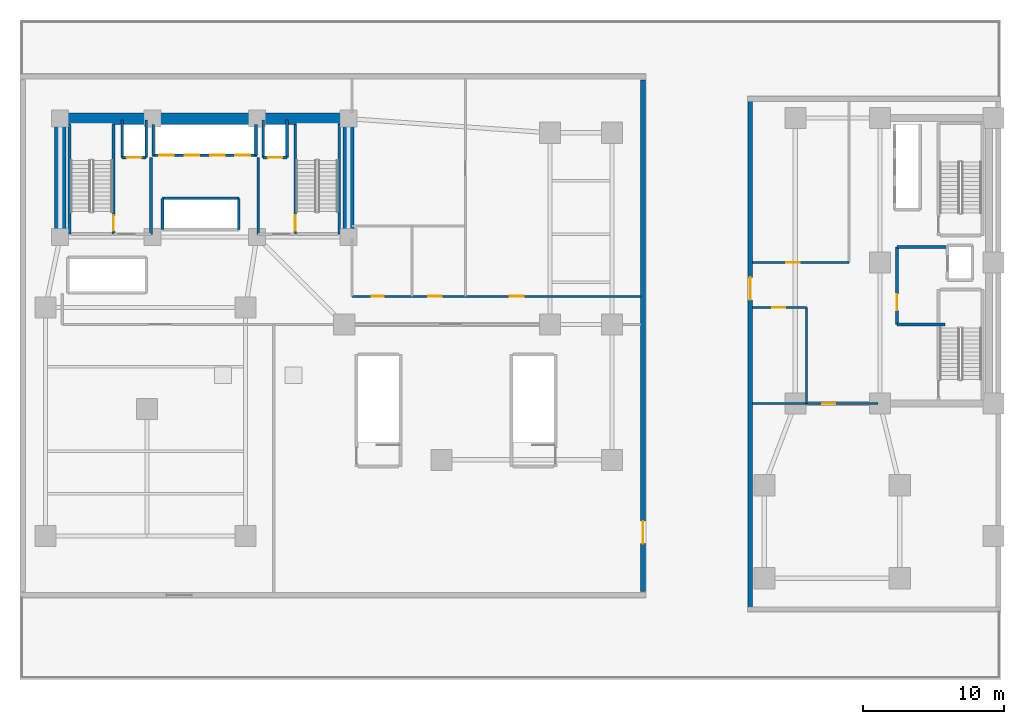
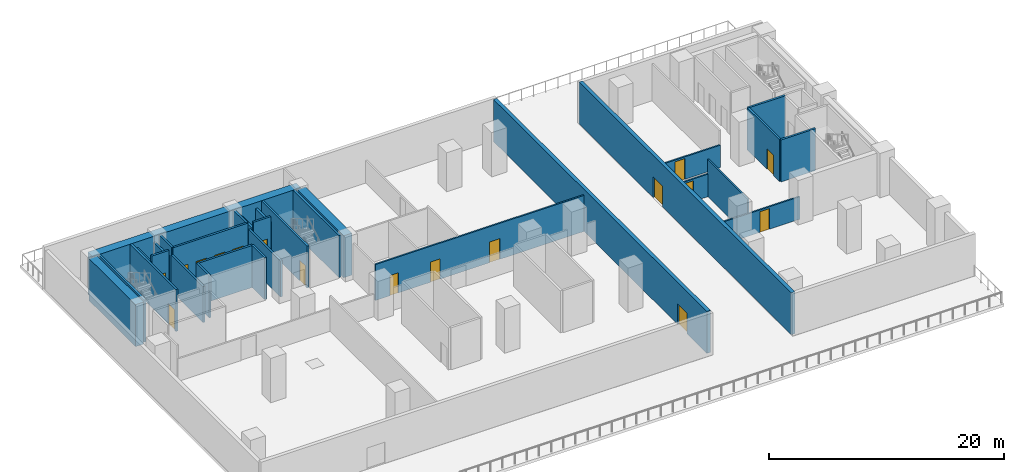
# One storey, part 3 of 9: 31 walls, 17 doors, 17 openings.
"""IFC4 building model written with IfcOpenShell, lengths in metres."""

from ifc_helpers import new_model, si_unit, direction, frame, frame_2d, origin, place, context, subcontext, project, spatial, rectangle, extrude, material, layer, layer_set, type_object, element, fill, save


model = new_model("IFC4")

# Units and contexts
model_context = context("Model", 3, precision=1e-05, world=origin(), true_north=direction((0.0, 1.0)))
body_context = subcontext(model_context, "Body", "Model", "MODEL_VIEW")
ifc_project = project(units=[si_unit("LENGTHUNIT", "METRE"), si_unit("AREAUNIT", "SQUARE_METRE"), si_unit("VOLUMEUNIT", "CUBIC_METRE"), si_unit("PLANEANGLEUNIT", "RADIAN"), si_unit("MASSUNIT", "GRAM", prefix="KILO")], contexts=[model_context])

# Site, building, storey
site_placement = place(None, origin())
site = spatial("IfcSite", under=ifc_project, at=site_placement, CompositionType="ELEMENT")
building_placement = place(site_placement, origin())
building = spatial("IfcBuilding", under=site, at=building_placement, Name="Kuzgunbayir Cultural Tower", CompositionType="ELEMENT")
storey_placement = place(building_placement, frame((0.0, 0.0, 21.800048828125)))
storey = spatial("IfcBuildingStorey", under=building, at=storey_placement, Name="L05", CompositionType="ELEMENT", Elevation=21.800048828125)

# Walls
ifc_material_1 = material(Name="Concrete C60/75", Category="concrete")
ifc_layer_1 = layer(ifc_material_1, 0.800048828125)
ifc_layer_set_1 = layer_set([ifc_layer_1], Name="Concrete C60/75")
wall_type_1 = type_object("IfcWallType", Name="WAL-CORE-800", PredefinedType="SHEAR", material=ifc_layer_set_1)
wall_1_placement = place(storey_placement, frame((6.449951171875, 42.199951171875, 0.0), z_axis=(0.0, 0.0, 1.0), x_axis=(1.0, 0.0, 0.0)))
element("IfcWall", 1, at=wall_1_placement, inside=storey, type_object=wall_type_1, Name="L05 T1 Core North Shear Wall", PredefinedType="SHEAR", context=body_context, shape_type="SweptSolid", body=[
    extrude(rectangle(XDim=20.449951171875, YDim=0.800048828125, at=frame_2d((10.22509765625, 0.0))), origin(), (0.0, 0.0, 1.0), 4.35986328125),
])
for number, where, z_axis, x_axis, name in (
    (2, (6.449951171875, 33.800048828125, 0.0), (0.0, 0.0, 1.0), (0.0, 1.0, 0.0), "L05 T1 Core West Shear Wall"),
    (3, (26.89990234375, 33.800048828125, 0.0), (0.0, 0.0, 1.0), (0.0, 1.0, 0.0), "L05 T1 Core East Shear Wall"),
):
    element("IfcWall", number, at=place(storey_placement, frame(where, z_axis=z_axis, x_axis=x_axis)), inside=storey, type_object=wall_type_1, Name=name, PredefinedType="SHEAR", context=body_context, shape_type="SweptSolid", body=[
        extrude(rectangle(XDim=7.949951171875, YDim=0.800048828125, at=frame_2d((3.97509765625, 0.0))), origin(), (0.0, 0.0, 1.0), 4.35986328125),
    ])

# Wall, opening, door
ifc_material_2 = material(Name="Anatolian Cream Limestone", Category="masonry")
ifc_layer_2 = layer(ifc_material_2, 0.35009765625)
ifc_layer_set_2 = layer_set([ifc_layer_2], Name="Anatolian Cream Limestone")
wall_type_2 = type_object("IfcWallType", Name="WAL-EXT-STONE-350", PredefinedType="STANDARD", material=ifc_layer_set_2)
wall_2_placement = place(storey_placement, frame((47.800048828125, 8.64990234375, 0.0), z_axis=(0.0, 0.0, 1.0), x_axis=(0.0, 1.0, 0.0)))
wall_2 = element("IfcWall", 4, at=wall_2_placement, inside=storey, type_object=wall_type_2, Name="L05 Botanical Pavilion East Garden Facade", PredefinedType="STANDARD", context=body_context, shape_type="SweptSolid", body=[
    extrude(rectangle(XDim=36.300048828125, YDim=0.35009765625, at=frame_2d((18.14990234375, 0.0))), origin(), (0.0, 0.0, 1.0), 4.35986328125),
])
opening_1_placement = place(wall_2_placement, frame((3.39990234375, 0.0, 0.0)))
opening_1 = element("IfcOpeningElement", 5, at=opening_1_placement, cuts=wall_2, Name="Opening TD-16", PredefinedType="OPENING", context=body_context, shape_type="SweptSolid", body=[
    extrude(rectangle(XDim=1.60009765625, YDim=2.14990234375, at=frame_2d((0.800048828125, 1.074951171875))), frame((0.0, 0.18505859375, 0.0), z_axis=(0.0, -1.0, 0.0), x_axis=(1.0, 0.0, 0.0)), (0.0, 0.0, 1.0), 0.3701171875),
])
ifc_material_3 = material(Name="Thermally Broken Glazed Aluminium", Category="aluminium")
door_type_1 = type_object("IfcDoorType", Name="DR-TERRACE-160", OperationType="SLIDING_TO_RIGHT", PredefinedType="DOOR", material=ifc_material_3)
door_1_placement = place(opening_1_placement, origin())
door_1 = element("IfcDoor", 6, at=door_1_placement, inside=storey, type_object=door_type_1, Name="L05 Botanical Salon East Garden Door", OperationType="SLIDING_TO_RIGHT", OverallHeight=2.14990234375, OverallWidth=1.60009765625, PredefinedType="DOOR", context=body_context, shape_type="SweptSolid", body=[
    extrude(rectangle(XDim=1.60009765625, YDim=2.14990234375, at=frame_2d((0.800048828125, 1.074951171875))), frame((0.0, 0.02490234375, 0.0), z_axis=(0.0, -1.0, 0.0), x_axis=(1.0, 0.0, 0.0)), (0.0, 0.0, 1.0), 0.050048828125),
])
fill(opening_1, door_1)

wall_3_placement = place(storey_placement, frame((55.39990234375, 43.550048828125, 0.0), z_axis=(0.0, 0.0, 1.0), x_axis=(0.0, -1.0, 0.0)))
wall_3 = element("IfcWall", 7, at=wall_3_placement, inside=storey, type_object=wall_type_2, Name="L05 Companion Foyer West Garden Wall", PredefinedType="STANDARD", context=body_context, shape_type="SweptSolid", body=[
    extrude(rectangle(XDim=36.10009765625, YDim=0.35009765625, at=frame_2d((18.050048828125, 0.0))), origin(), (0.0, 0.0, 1.0), 4.35986328125),
])
opening_2_placement = place(wall_3_placement, frame((12.60009765625, 0.0, 0.0)))
opening_2 = element("IfcOpeningElement", 8, at=opening_2_placement, cuts=wall_3, Name="Opening TD-16", PredefinedType="OPENING", context=body_context, shape_type="SweptSolid", body=[
    extrude(rectangle(XDim=1.60009765625, YDim=2.14990234375, at=frame_2d((0.800048828125, 1.074951171875))), frame((0.0, 0.18505859375, 0.0), z_axis=(0.0, -1.0, 0.0), x_axis=(1.0, 0.0, 0.0)), (0.0, 0.0, 1.0), 0.3701171875),
])
door_2_placement = place(opening_2_placement, origin())
door_2 = element("IfcDoor", 9, at=door_2_placement, inside=storey, type_object=door_type_1, Name="L05 Companion Foyer Garden Terrace Door", OperationType="SLIDING_TO_RIGHT", OverallHeight=2.14990234375, OverallWidth=1.60009765625, PredefinedType="DOOR", context=body_context, shape_type="SweptSolid", body=[
    extrude(rectangle(XDim=1.60009765625, YDim=2.14990234375, at=frame_2d((0.800048828125, 1.074951171875))), frame((0.0, 0.02490234375, 0.0), z_axis=(0.0, -1.0, 0.0), x_axis=(1.0, 0.0, 0.0)), (0.0, 0.0, 1.0), 0.050048828125),
])
fill(opening_2, door_2)

# Wall, openings, doors
ifc_material_4 = material(Name="Acoustic Double-Stud Drywall", Category="gypsum")
ifc_layer_3 = layer(ifc_material_4, 0.14990234375)
ifc_layer_set_3 = layer_set([ifc_layer_3], Name="Acoustic Double-Stud Drywall")
wall_type_3 = type_object("IfcWallType", Name="WAL-PART-ACOUSTIC-150", PredefinedType="PARTITIONING", material=ifc_layer_set_3)
wall_4_placement = place(storey_placement, frame((27.14990234375, 29.60009765625, 0.0), z_axis=(0.0, 0.0, 1.0), x_axis=(1.0, 0.0, 0.0)))
wall_4 = element("IfcWall", 10, at=wall_4_placement, inside=storey, type_object=wall_type_3, Name="L05 Botanical Promenade North Wall", PredefinedType="PARTITIONING", context=body_context, shape_type="SweptSolid", body=[
    extrude(rectangle(XDim=20.5, YDim=0.14990234375, at=frame_2d((10.25, 0.0))), origin(), (0.0, 0.0, 1.0), 3.739990234375),
])
opening_3_placement = place(wall_4_placement, frame((1.39990234375, 0.0, 0.0)))
opening_3 = element("IfcOpeningElement", 11, at=opening_3_placement, cuts=wall_4, Name="Opening DW-85", PredefinedType="OPENING", context=body_context, shape_type="SweptSolid", body=[
    extrude(rectangle(XDim=0.85009765625, YDim=2.10009765625, at=frame_2d((0.425048828125, 1.050048828125))), frame((0.0, 0.0849609375, 0.0), z_axis=(0.0, -1.0, 0.0), x_axis=(1.0, 0.0, 0.0)), (0.0, 0.0, 1.0), 0.169921875),
])
opening_4_placement = place(wall_4_placement, frame((5.39990234375, 0.0, 0.0)))
opening_4 = element("IfcOpeningElement", 12, at=opening_4_placement, cuts=wall_4, Name="Opening DW-95", PredefinedType="OPENING", context=body_context, shape_type="SweptSolid", body=[
    extrude(rectangle(XDim=0.949951171875, YDim=2.10009765625, at=frame_2d((0.47509765625, 1.050048828125))), frame((0.0, 0.0849609375, 0.0), z_axis=(0.0, -1.0, 0.0), x_axis=(1.0, 0.0, 0.0)), (0.0, 0.0, 1.0), 0.169921875),
])
opening_5_placement = place(wall_4_placement, frame((11.199951171875, 0.0, 0.0)))
opening_5 = element("IfcOpeningElement", 13, at=opening_5_placement, cuts=wall_4, Name="Opening DI-100", PredefinedType="OPENING", context=body_context, shape_type="SweptSolid", body=[
    extrude(rectangle(XDim=1.0, YDim=2.14990234375, at=frame_2d((0.5, 1.074951171875))), frame((0.0, 0.0849609375, 0.0), z_axis=(0.0, -1.0, 0.0), x_axis=(1.0, 0.0, 0.0)), (0.0, 0.0, 1.0), 0.169921875),
])
ifc_material_5 = material(Name="Veneered Oak Single Leaf", Category="wood")
door_type_2 = type_object("IfcDoorType", Name="DR-INT-100", OperationType="NOTDEFINED", PredefinedType="DOOR", material=ifc_material_5)
door_3_placement = place(opening_5_placement, origin())
door_3 = element("IfcDoor", 14, at=door_3_placement, inside=storey, type_object=door_type_2, Name="L05 Landscape Studio Door", OperationType="SINGLE_SWING_RIGHT", OverallHeight=2.14990234375, OverallWidth=1.0, PredefinedType="DOOR", context=body_context, shape_type="SweptSolid", body=[
    extrude(rectangle(XDim=1.0, YDim=2.14990234375, at=frame_2d((0.5, 1.074951171875))), frame((0.0, 0.02490234375, 0.0), z_axis=(0.0, -1.0, 0.0), x_axis=(1.0, 0.0, 0.0)), (0.0, 0.0, 1.0), 0.050048828125),
])
fill(opening_5, door_3)
ifc_material_6 = material(Name="Laminate Moisture-Resistant Leaf", Category="wood")
door_type_3 = type_object("IfcDoorType", Name="DR-WET-85", OperationType="NOTDEFINED", PredefinedType="DOOR", material=ifc_material_6)
door_4_placement = place(opening_3_placement, origin())
door_4 = element("IfcDoor", 15, at=door_4_placement, inside=storey, type_object=door_type_3, Name="L05 Garden WC Door", OperationType="SINGLE_SWING_RIGHT", OverallHeight=2.10009765625, OverallWidth=0.85009765625, PredefinedType="DOOR", context=body_context, shape_type="SweptSolid", body=[
    extrude(rectangle(XDim=0.85009765625, YDim=2.10009765625, at=frame_2d((0.425048828125, 1.050048828125))), frame((0.0, 0.02490234375, 0.0), z_axis=(0.0, -1.0, 0.0), x_axis=(1.0, 0.0, 0.0)), (0.0, 0.0, 1.0), 0.050048828125),
])
fill(opening_3, door_4)
door_type_4 = type_object("IfcDoorType", Name="DR-WET-95", OperationType="NOTDEFINED", PredefinedType="DOOR", material=ifc_material_6)
door_5_placement = place(opening_4_placement, origin())
door_5 = element("IfcDoor", 16, at=door_5_placement, inside=storey, type_object=door_type_4, Name="L05 Garden Accessible WC Door", OperationType="SINGLE_SWING_LEFT", OverallHeight=2.10009765625, OverallWidth=0.949951171875, PredefinedType="DOOR", context=body_context, shape_type="SweptSolid", body=[
    extrude(rectangle(XDim=0.949951171875, YDim=2.10009765625, at=frame_2d((0.47509765625, 1.050048828125))), frame((0.0, 0.02490234375, 0.0), z_axis=(0.0, -1.0, 0.0), x_axis=(1.0, 0.0, 0.0)), (0.0, 0.0, 1.0), 0.050048828125),
])
fill(opening_4, door_5)

# Wall, opening, door
wall_5_placement = place(storey_placement, frame((55.550048828125, 22.0, 0.0), z_axis=(0.0, 0.0, 1.0), x_axis=(1.0, 0.0, 0.0)))
wall_5 = element("IfcWall", 17, at=wall_5_placement, inside=storey, type_object=wall_type_3, Name="L05 Companion Garden Foyer South Wall", PredefinedType="PARTITIONING", context=body_context, shape_type="SweptSolid", body=[
    extrude(rectangle(XDim=8.89990234375, YDim=0.14990234375, at=frame_2d((4.449951171875, 0.0))), origin(), (0.0, 0.0, 1.0), 2.33984375),
])
opening_6_placement = place(wall_5_placement, frame((4.93994140625, 0.0, 0.0)))
opening_6 = element("IfcOpeningElement", 18, at=opening_6_placement, cuts=wall_5, Name="Opening DI-90", PredefinedType="OPENING", context=body_context, shape_type="SweptSolid", body=[
    extrude(rectangle(XDim=0.949951171875, YDim=2.14990234375, at=frame_2d((0.47509765625, 1.074951171875))), frame((0.0, 0.0849609375, 0.0), z_axis=(0.0, -1.0, 0.0), x_axis=(1.0, 0.0, 0.0)), (0.0, 0.0, 1.0), 0.169921875),
])
door_type_5 = type_object("IfcDoorType", Name="DR-INT-90", OperationType="NOTDEFINED", PredefinedType="DOOR", material=ifc_material_5)
door_6_placement = place(opening_6_placement, origin())
door_6 = element("IfcDoor", 19, at=door_6_placement, inside=storey, type_object=door_type_5, Name="L05 Companion Terrace Lounge Door", OperationType="SINGLE_SWING_RIGHT", OverallHeight=2.14990234375, OverallWidth=0.949951171875, PredefinedType="DOOR", context=body_context, shape_type="SweptSolid", body=[
    extrude(rectangle(XDim=0.949951171875, YDim=2.14990234375, at=frame_2d((0.47509765625, 1.074951171875))), frame((0.0, 0.02490234375, 0.0), z_axis=(0.0, -1.0, 0.0), x_axis=(1.0, 0.0, 0.0)), (0.0, 0.0, 1.0), 0.050048828125),
])
fill(opening_6, door_6)

# Wall
wall_6_placement = place(storey_placement, frame((59.39990234375, 22.0, 0.0), z_axis=(0.0, 0.0, 1.0), x_axis=(0.0, 1.0, 0.0)))
element("IfcWall", 20, at=wall_6_placement, inside=storey, type_object=wall_type_3, Name="L05 Companion Pantry East Wall", PredefinedType="PARTITIONING", context=body_context, shape_type="SweptSolid", body=[
    extrude(rectangle(XDim=6.800048828125, YDim=0.14990234375, at=frame_2d((3.39990234375, 0.0))), origin(), (0.0, 0.0, 1.0), 3.83984375),
])

# Wall, opening, door
wall_7_placement = place(storey_placement, frame((55.550048828125, 28.800048828125, 0.0), z_axis=(0.0, 0.0, 1.0), x_axis=(1.0, 0.0, 0.0)))
wall_7 = element("IfcWall", 21, at=wall_7_placement, inside=storey, type_object=wall_type_3, Name="L05 Companion Foyer South Partition", PredefinedType="PARTITIONING", context=body_context, shape_type="SweptSolid", body=[
    extrude(rectangle(XDim=3.849853515625, YDim=0.14990234375, at=frame_2d((1.9248046875, 0.0))), origin(), (0.0, 0.0, 1.0), 2.33984375),
])
opening_7_placement = place(wall_7_placement, frame((1.39990234375, 0.0, 0.0)))
opening_7 = element("IfcOpeningElement", 22, at=opening_7_placement, cuts=wall_7, Name="Opening DI-90", PredefinedType="OPENING", context=body_context, shape_type="SweptSolid", body=[
    extrude(rectangle(XDim=0.949951171875, YDim=2.14990234375, at=frame_2d((0.47509765625, 1.074951171875))), frame((0.0, 0.0849609375, 0.0), z_axis=(0.0, -1.0, 0.0), x_axis=(1.0, 0.0, 0.0)), (0.0, 0.0, 1.0), 0.169921875),
])
door_7_placement = place(opening_7_placement, origin())
door_7 = element("IfcDoor", 23, at=door_7_placement, inside=storey, type_object=door_type_5, Name="L05 Companion Pantry Door", OperationType="SINGLE_SWING_LEFT", OverallHeight=2.14990234375, OverallWidth=0.949951171875, PredefinedType="DOOR", context=body_context, shape_type="SweptSolid", body=[
    extrude(rectangle(XDim=0.949951171875, YDim=2.14990234375, at=frame_2d((0.47509765625, 1.074951171875))), frame((0.0, 0.02490234375, 0.0), z_axis=(0.0, -1.0, 0.0), x_axis=(1.0, 0.0, 0.0)), (0.0, 0.0, 1.0), 0.050048828125),
])
fill(opening_7, door_7)

wall_8_placement = place(storey_placement, frame((55.550048828125, 32.0, 0.0), z_axis=(0.0, 0.0, 1.0), x_axis=(1.0, 0.0, 0.0)))
wall_8 = element("IfcWall", 24, at=wall_8_placement, inside=storey, type_object=wall_type_3, Name="L05 Companion Foyer North Partition", PredefinedType="PARTITIONING", context=body_context, shape_type="SweptSolid", body=[
    extrude(rectangle(XDim=6.849853515625, YDim=0.14990234375, at=frame_2d((3.4248046875, 0.0))), origin(), (0.0, 0.0, 1.0), 2.33984375),
])
opening_8_placement = place(wall_8_placement, frame((2.39990234375, 0.0, 0.0)))
opening_8 = element("IfcOpeningElement", 25, at=opening_8_placement, cuts=wall_8, Name="Opening DI-90", PredefinedType="OPENING", context=body_context, shape_type="SweptSolid", body=[
    extrude(rectangle(XDim=0.949951171875, YDim=2.14990234375, at=frame_2d((0.47509765625, 1.074951171875))), frame((0.0, 0.0849609375, 0.0), z_axis=(0.0, -1.0, 0.0), x_axis=(1.0, 0.0, 0.0)), (0.0, 0.0, 1.0), 0.169921875),
])
door_8_placement = place(opening_8_placement, origin())
door_8 = element("IfcDoor", 26, at=door_8_placement, inside=storey, type_object=door_type_5, Name="L05 Companion Reading Room Door", OperationType="SINGLE_SWING_RIGHT", OverallHeight=2.14990234375, OverallWidth=0.949951171875, PredefinedType="DOOR", context=body_context, shape_type="SweptSolid", body=[
    extrude(rectangle(XDim=0.949951171875, YDim=2.14990234375, at=frame_2d((0.47509765625, 1.074951171875))), frame((0.0, 0.02490234375, 0.0), z_axis=(0.0, -1.0, 0.0), x_axis=(1.0, 0.0, 0.0)), (0.0, 0.0, 1.0), 0.050048828125),
])
fill(opening_8, door_8)

# Walls
ifc_material_7 = material(Name="Aerated Concrete Blockwork", Category="masonry")
ifc_layer_4 = layer(ifc_material_7, 0.199951171875)
ifc_layer_set_4 = layer_set([ifc_layer_4], Name="Aerated Concrete Blockwork")
wall_type_4 = type_object("IfcWallType", Name="WAL-PART-FIRE-200", PredefinedType="PARTITIONING", material=ifc_layer_set_4)
for number, where, z_axis, x_axis, name in (
    (27, (12.89990234375, 34.0, 0.0), (0.0, 0.0, 1.0), (0.0, 1.0, 0.0), "L05 FFL-1 Lobby East Fire Wall"),
    (28, (20.5, 34.0, 0.0), (0.0, 0.0, 1.0), (0.0, 1.0, 0.0), "L05 FFL-2 Lobby West Fire Wall"),
):
    element("IfcWall", number, at=place(storey_placement, frame(where, z_axis=z_axis, x_axis=x_axis)), inside=storey, type_object=wall_type_4, Name=name, PredefinedType="PARTITIONING", context=body_context, shape_type="SweptSolid", body=[
        extrude(rectangle(XDim=5.449951171875, YDim=0.199951171875, at=frame_2d((2.72509765625, 0.0))), origin(), (0.0, 0.0, 1.0), 3.739990234375),
    ])

# Wall, opening, door
wall_9_placement = place(storey_placement, frame((65.800048828125, 27.60009765625, 0.0), z_axis=(0.0, 0.0, 1.0), x_axis=(0.0, 1.0, 0.0)))
wall_9 = element("IfcWall", 29, at=wall_9_placement, inside=storey, type_object=wall_type_4, Name="L05 FFL-3 Lobby West Fire Wall", PredefinedType="PARTITIONING", context=body_context, shape_type="SweptSolid", body=[
    extrude(rectangle(XDim=5.5, YDim=0.199951171875, at=frame_2d((2.75, 0.0))), origin(), (0.0, 0.0, 1.0), 4.35986328125),
])
opening_9_placement = place(wall_9_placement, frame((1.0, 0.0, 0.0)))
opening_9 = element("IfcOpeningElement", 30, at=opening_9_placement, cuts=wall_9, Name="Opening DR-FFL-90", PredefinedType="OPENING", context=body_context, shape_type="SweptSolid", body=[
    extrude(rectangle(XDim=1.14990234375, YDim=2.14990234375, at=frame_2d((0.574951171875, 1.074951171875))), frame((0.0, 0.10986328125, 0.0), z_axis=(0.0, -1.0, 0.0), x_axis=(1.0, 0.0, 0.0)), (0.0, 0.0, 1.0), 0.219970703125),
])
ifc_material_8 = material(Name="Steel S355J2", Category="steel")
door_type_6 = type_object("IfcDoorType", Name="DR-FFL-90", OperationType="NOTDEFINED", PredefinedType="DOOR", material=ifc_material_8)
door_9_placement = place(opening_9_placement, origin())
door_9 = element("IfcDoor", 31, at=door_9_placement, inside=storey, type_object=door_type_6, Name="L05 Firefighting Lobby 3 Door", OperationType="SINGLE_SWING_RIGHT", OverallHeight=2.14990234375, OverallWidth=1.14990234375, PredefinedType="DOOR", context=body_context, shape_type="SweptSolid", body=[
    extrude(rectangle(XDim=1.14990234375, YDim=2.14990234375, at=frame_2d((0.574951171875, 1.074951171875))), frame((0.0, 0.02490234375, 0.0), z_axis=(0.0, -1.0, 0.0), x_axis=(1.0, 0.0, 0.0)), (0.0, 0.0, 1.0), 0.050048828125),
])
fill(opening_9, door_9)

# Walls
wall_10_placement = place(storey_placement, frame((65.800048828125, 33.10009765625, 0.0), z_axis=(0.0, 0.0, 1.0), x_axis=(1.0, 0.0, 0.0)))
element("IfcWall", 32, at=wall_10_placement, inside=storey, type_object=wall_type_4, Name="L05 FFL-3 Lobby North Fire Wall", PredefinedType="PARTITIONING", context=body_context, shape_type="SweptSolid", body=[
    extrude(rectangle(XDim=3.599853515625, YDim=0.199951171875, at=frame_2d((1.7998046875, 0.0))), origin(), (0.0, 0.0, 1.0), 4.35986328125),
])
wall_11_placement = place(storey_placement, frame((65.800048828125, 27.60009765625, 0.0), z_axis=(0.0, 0.0, 1.0), x_axis=(1.0, 0.0, 0.0)))
element("IfcWall", 33, at=wall_11_placement, inside=storey, type_object=wall_type_4, Name="L05 FFL-3 Lobby South Fire Wall", PredefinedType="PARTITIONING", context=body_context, shape_type="SweptSolid", body=[
    extrude(rectangle(XDim=3.39990234375, YDim=0.199951171875, at=frame_2d((1.699951171875, 0.0))), origin(), (0.0, 0.0, 1.0), 4.35986328125),
])

# Wall, opening, door
ifc_material_9 = material(Name="Concrete C40/50", Category="concrete")
ifc_layer_5 = layer(ifc_material_9, 0.199951171875)
ifc_layer_set_5 = layer_set([ifc_layer_5], Name="Concrete C40/50")
wall_type_5 = type_object("IfcWallType", Name="WAL-SHAFT-200", PredefinedType="MOVABLE", material=ifc_layer_set_5)
wall_12_placement = place(storey_placement, frame((10.85009765625, 39.449951171875, 0.0), z_axis=(0.0, 0.0, 1.0), x_axis=(1.0, 0.0, 0.0)))
wall_12 = element("IfcWall", 34, at=wall_12_placement, inside=storey, type_object=wall_type_5, Name="L05 FFL-1 Lift Front Wall", PredefinedType="MOVABLE", context=body_context, shape_type="SweptSolid", body=[
    extrude(rectangle(XDim=1.699951171875, YDim=0.199951171875, at=frame_2d((0.85009765625, 0.0))), origin(), (0.0, 0.0, 1.0), 4.35986328125),
])
opening_10_placement = place(wall_12_placement, frame((0.320068359375, 0.0, 0.0)))
opening_10 = element("IfcOpeningElement", 35, at=opening_10_placement, cuts=wall_12, Name="Opening LD", PredefinedType="OPENING", context=body_context, shape_type="SweptSolid", body=[
    extrude(rectangle(XDim=1.050048828125, YDim=2.14990234375, at=frame_2d((0.52490234375, 1.074951171875))), frame((0.0, 0.10986328125, 0.0), z_axis=(0.0, -1.0, 0.0), x_axis=(1.0, 0.0, 0.0)), (0.0, 0.0, 1.0), 0.219970703125),
])
ifc_material_10 = material(Name="Brushed Stainless Steel", Category="steel")
door_type_7 = type_object("IfcDoorType", Name="DR-LIFT-LANDING", OperationType="SLIDING_TO_LEFT", PredefinedType="DOOR", material=ifc_material_10)
door_10_placement = place(opening_10_placement, origin())
door_10 = element("IfcDoor", 36, at=door_10_placement, inside=storey, type_object=door_type_7, Name="L05 Lift FFL-1 Landing Door", OperationType="SLIDING_TO_LEFT", OverallHeight=2.14990234375, OverallWidth=1.050048828125, PredefinedType="DOOR", context=body_context, shape_type="SweptSolid", body=[
    extrude(rectangle(XDim=1.050048828125, YDim=2.14990234375, at=frame_2d((0.52490234375, 1.074951171875))), frame((0.0, 0.02490234375, 0.0), z_axis=(0.0, -1.0, 0.0), x_axis=(1.0, 0.0, 0.0)), (0.0, 0.0, 1.0), 0.050048828125),
])
fill(opening_10, door_10)

wall_13_placement = place(storey_placement, frame((20.85009765625, 39.449951171875, 0.0), z_axis=(0.0, 0.0, 1.0), x_axis=(1.0, 0.0, 0.0)))
wall_13 = element("IfcWall", 37, at=wall_13_placement, inside=storey, type_object=wall_type_5, Name="L05 FFL-2 Lift Front Wall", PredefinedType="MOVABLE", context=body_context, shape_type="SweptSolid", body=[
    extrude(rectangle(XDim=1.699951171875, YDim=0.199951171875, at=frame_2d((0.85009765625, 0.0))), origin(), (0.0, 0.0, 1.0), 4.35986328125),
])
opening_11_placement = place(wall_13_placement, frame((0.320068359375, 0.0, 0.0)))
opening_11 = element("IfcOpeningElement", 38, at=opening_11_placement, cuts=wall_13, Name="Opening LD", PredefinedType="OPENING", context=body_context, shape_type="SweptSolid", body=[
    extrude(rectangle(XDim=1.050048828125, YDim=2.14990234375, at=frame_2d((0.52490234375, 1.074951171875))), frame((0.0, 0.10986328125, 0.0), z_axis=(0.0, -1.0, 0.0), x_axis=(1.0, 0.0, 0.0)), (0.0, 0.0, 1.0), 0.219970703125),
])
door_11_placement = place(opening_11_placement, origin())
door_11 = element("IfcDoor", 39, at=door_11_placement, inside=storey, type_object=door_type_7, Name="L05 Lift FFL-2 Landing Door", OperationType="SLIDING_TO_LEFT", OverallHeight=2.14990234375, OverallWidth=1.050048828125, PredefinedType="DOOR", context=body_context, shape_type="SweptSolid", body=[
    extrude(rectangle(XDim=1.050048828125, YDim=2.14990234375, at=frame_2d((0.52490234375, 1.074951171875))), frame((0.0, 0.02490234375, 0.0), z_axis=(0.0, -1.0, 0.0), x_axis=(1.0, 0.0, 0.0)), (0.0, 0.0, 1.0), 0.050048828125),
])
fill(opening_11, door_11)

# Walls
for number, where, z_axis, x_axis, name in (
    (40, (10.85009765625, 39.449951171875, 0.0), (0.0, 0.0, 1.0), (0.0, 1.0, 0.0), "L05 FFL-1 Shaft West Wall"),
    (41, (12.550048828125, 39.449951171875, 0.0), (0.0, 0.0, 1.0), (0.0, 1.0, 0.0), "L05 FFL-1 Shaft East Wall"),
    (42, (20.85009765625, 39.449951171875, 0.0), (0.0, 0.0, 1.0), (0.0, 1.0, 0.0), "L05 FFL-2 Shaft West Wall"),
    (43, (22.550048828125, 39.449951171875, 0.0), (0.0, 0.0, 1.0), (0.0, 1.0, 0.0), "L05 FFL-2 Shaft East Wall"),
):
    element("IfcWall", number, at=place(storey_placement, frame(where, z_axis=z_axis, x_axis=x_axis)), inside=storey, type_object=wall_type_5, Name=name, PredefinedType="MOVABLE", context=body_context, shape_type="SweptSolid", body=[
        extrude(rectangle(XDim=2.650146484375, YDim=0.199951171875, at=frame_2d((1.3251953125, 0.0))), origin(), (0.0, 0.0, 1.0), 3.739990234375),
    ])

# Wall, openings, doors
wall_14_placement = place(storey_placement, frame((13.0, 39.60009765625, 0.0), z_axis=(0.0, 0.0, 1.0), x_axis=(1.0, 0.0, 0.0)))
wall_14 = element("IfcWall", 44, at=wall_14_placement, inside=storey, type_object=wall_type_5, Name="L05 Low-Rise Lift Front Wall", PredefinedType="MOVABLE", context=body_context, shape_type="SweptSolid", body=[
    extrude(rectangle(XDim=7.39990234375, YDim=0.199951171875, at=frame_2d((3.699951171875, 0.0))), origin(), (0.0, 0.0, 1.0), 4.35986328125),
])
opening_12_placement = place(wall_14_placement, frame((0.469970703125, 0.0, 0.0)))
opening_12 = element("IfcOpeningElement", 45, at=opening_12_placement, cuts=wall_14, Name="Opening LD", PredefinedType="OPENING", context=body_context, shape_type="SweptSolid", body=[
    extrude(rectangle(XDim=1.050048828125, YDim=2.14990234375, at=frame_2d((0.52490234375, 1.074951171875))), frame((0.0, 0.10986328125, 0.0), z_axis=(0.0, -1.0, 0.0), x_axis=(1.0, 0.0, 0.0)), (0.0, 0.0, 1.0), 0.219970703125),
])
opening_13_placement = place(wall_14_placement, frame((2.280029296875, 0.0, 0.0)))
opening_13 = element("IfcOpeningElement", 46, at=opening_13_placement, cuts=wall_14, Name="Opening LD", PredefinedType="OPENING", context=body_context, shape_type="SweptSolid", body=[
    extrude(rectangle(XDim=1.050048828125, YDim=2.14990234375, at=frame_2d((0.52490234375, 1.074951171875))), frame((0.0, 0.10986328125, 0.0), z_axis=(0.0, -1.0, 0.0), x_axis=(1.0, 0.0, 0.0)), (0.0, 0.0, 1.0), 0.219970703125),
])
opening_14_placement = place(wall_14_placement, frame((4.080078125, 0.0, 0.0)))
opening_14 = element("IfcOpeningElement", 47, at=opening_14_placement, cuts=wall_14, Name="Opening LD", PredefinedType="OPENING", context=body_context, shape_type="SweptSolid", body=[
    extrude(rectangle(XDim=1.050048828125, YDim=2.14990234375, at=frame_2d((0.52490234375, 1.074951171875))), frame((0.0, 0.10986328125, 0.0), z_axis=(0.0, -1.0, 0.0), x_axis=(1.0, 0.0, 0.0)), (0.0, 0.0, 1.0), 0.219970703125),
])
opening_15_placement = place(wall_14_placement, frame((5.8798828125, 0.0, 0.0)))
opening_15 = element("IfcOpeningElement", 48, at=opening_15_placement, cuts=wall_14, Name="Opening LD", PredefinedType="OPENING", context=body_context, shape_type="SweptSolid", body=[
    extrude(rectangle(XDim=1.050048828125, YDim=2.14990234375, at=frame_2d((0.52490234375, 1.074951171875))), frame((0.0, 0.10986328125, 0.0), z_axis=(0.0, -1.0, 0.0), x_axis=(1.0, 0.0, 0.0)), (0.0, 0.0, 1.0), 0.219970703125),
])
door_12_placement = place(opening_12_placement, origin())
door_12 = element("IfcDoor", 49, at=door_12_placement, inside=storey, type_object=door_type_7, Name="L05 Lift PL-1 Landing Door", OperationType="SLIDING_TO_LEFT", OverallHeight=2.14990234375, OverallWidth=1.050048828125, PredefinedType="DOOR", context=body_context, shape_type="SweptSolid", body=[
    extrude(rectangle(XDim=1.050048828125, YDim=2.14990234375, at=frame_2d((0.52490234375, 1.074951171875))), frame((0.0, 0.02490234375, 0.0), z_axis=(0.0, -1.0, 0.0), x_axis=(1.0, 0.0, 0.0)), (0.0, 0.0, 1.0), 0.050048828125),
])
fill(opening_12, door_12)
door_13_placement = place(opening_13_placement, origin())
door_13 = element("IfcDoor", 50, at=door_13_placement, inside=storey, type_object=door_type_7, Name="L05 Lift PL-2 Landing Door", OperationType="SLIDING_TO_LEFT", OverallHeight=2.14990234375, OverallWidth=1.050048828125, PredefinedType="DOOR", context=body_context, shape_type="SweptSolid", body=[
    extrude(rectangle(XDim=1.050048828125, YDim=2.14990234375, at=frame_2d((0.52490234375, 1.074951171875))), frame((0.0, 0.02490234375, 0.0), z_axis=(0.0, -1.0, 0.0), x_axis=(1.0, 0.0, 0.0)), (0.0, 0.0, 1.0), 0.050048828125),
])
fill(opening_13, door_13)
door_14_placement = place(opening_14_placement, origin())
door_14 = element("IfcDoor", 51, at=door_14_placement, inside=storey, type_object=door_type_7, Name="L05 Lift PL-3 Landing Door", OperationType="SLIDING_TO_LEFT", OverallHeight=2.14990234375, OverallWidth=1.050048828125, PredefinedType="DOOR", context=body_context, shape_type="SweptSolid", body=[
    extrude(rectangle(XDim=1.050048828125, YDim=2.14990234375, at=frame_2d((0.52490234375, 1.074951171875))), frame((0.0, 0.02490234375, 0.0), z_axis=(0.0, -1.0, 0.0), x_axis=(1.0, 0.0, 0.0)), (0.0, 0.0, 1.0), 0.050048828125),
])
fill(opening_14, door_14)
door_15_placement = place(opening_15_placement, origin())
door_15 = element("IfcDoor", 52, at=door_15_placement, inside=storey, type_object=door_type_7, Name="L05 Lift PL-4 Landing Door", OperationType="SLIDING_TO_LEFT", OverallHeight=2.14990234375, OverallWidth=1.050048828125, PredefinedType="DOOR", context=body_context, shape_type="SweptSolid", body=[
    extrude(rectangle(XDim=1.050048828125, YDim=2.14990234375, at=frame_2d((0.52490234375, 1.074951171875))), frame((0.0, 0.02490234375, 0.0), z_axis=(0.0, -1.0, 0.0), x_axis=(1.0, 0.0, 0.0)), (0.0, 0.0, 1.0), 0.050048828125),
])
fill(opening_15, door_15)

# Walls
for number, where, z_axis, x_axis, name in (
    (53, (13.050048828125, 39.60009765625, 0.0), (0.0, 0.0, 1.0), (0.0, 1.0, 0.0), "L05 Low-Rise Lift Shaft West Wall"),
    (54, (20.35009765625, 39.60009765625, 0.0), (0.0, 0.0, 1.0), (0.0, 1.0, 0.0), "L05 Low-Rise Lift Shaft East Wall"),
):
    element("IfcWall", number, at=place(storey_placement, frame(where, z_axis=z_axis, x_axis=x_axis)), inside=storey, type_object=wall_type_5, Name=name, PredefinedType="MOVABLE", context=body_context, shape_type="SweptSolid", body=[
        extrude(rectangle(XDim=2.179931640625, YDim=0.199951171875, at=frame_2d((1.08984375, 0.0))), origin(), (0.0, 0.0, 1.0), 4.35986328125),
    ])
wall_15_placement = place(storey_placement, frame((13.699951171875, 36.550048828125, 0.0), z_axis=(0.0, 0.0, 1.0), x_axis=(1.0, 0.0, 0.0)))
element("IfcWall", 55, at=wall_15_placement, inside=storey, type_object=wall_type_5, Name="L05 Mid-Rise Lift Shaft North Wall", PredefinedType="MOVABLE", context=body_context, shape_type="SweptSolid", body=[
    extrude(rectangle(XDim=5.420166015625, YDim=0.199951171875, at=frame_2d((2.7099609375, 0.0))), origin(), (0.0, 0.0, 1.0), 4.35986328125),
])
for number, where, z_axis, x_axis, name in (
    (56, (13.699951171875, 34.35009765625, 0.0), (0.0, 0.0, 1.0), (0.0, 1.0, 0.0), "L05 Mid-Rise Lift Shaft West Wall"),
    (57, (19.1201171875, 34.35009765625, 0.0), (0.0, 0.0, 1.0), (0.0, 1.0, 0.0), "L05 Mid-Rise Lift Shaft East Wall"),
):
    element("IfcWall", number, at=place(storey_placement, frame(where, z_axis=z_axis, x_axis=x_axis)), inside=storey, type_object=wall_type_5, Name=name, PredefinedType="MOVABLE", context=body_context, shape_type="SweptSolid", body=[
        extrude(rectangle(XDim=2.199951171875, YDim=0.199951171875, at=frame_2d((1.10009765625, 0.0))), origin(), (0.0, 0.0, 1.0), 4.35986328125),
    ])
ifc_layer_6 = layer(ifc_material_9, 0.199951171875)
ifc_layer_set_6 = layer_set([ifc_layer_6], Name="Concrete C40/50")
wall_type_6 = type_object("IfcWallType", Name="WAL-STAIR-RC-200", PredefinedType="SHEAR", material=ifc_layer_set_6)
wall_16_placement = place(storey_placement, frame((7.1201171875, 34.02001953125, 0.0), z_axis=(0.0, 0.0, 1.0), x_axis=(0.0, 1.0, 0.0)))
element("IfcWall", 58, at=wall_16_placement, inside=storey, type_object=wall_type_6, Name="L05 Stair ST-1 West Structural Wall", PredefinedType="SHEAR", context=body_context, shape_type="SweptSolid", body=[
    extrude(rectangle(XDim=7.780029296875, YDim=0.199951171875, at=frame_2d((3.89013671875, 0.0))), origin(), (0.0, 0.0, 1.0), 4.35986328125),
])

# Wall, opening, door
wall_17_placement = place(storey_placement, frame((10.239990234375, 34.02001953125, 0.0), z_axis=(0.0, 0.0, 1.0), x_axis=(0.0, 1.0, 0.0)))
wall_17 = element("IfcWall", 59, at=wall_17_placement, inside=storey, type_object=wall_type_6, Name="L05 Stair ST-1 East Structural Wall", PredefinedType="SHEAR", context=body_context, shape_type="SweptSolid", body=[
    extrude(rectangle(XDim=7.780029296875, YDim=0.199951171875, at=frame_2d((3.89013671875, 0.0))), origin(), (0.0, 0.0, 1.0), 4.35986328125),
])
opening_16_placement = place(wall_17_placement, frame((0.219970703125, 0.0, 0.0)))
opening_16 = element("IfcOpeningElement", 60, at=opening_16_placement, cuts=wall_17, Name="Opening DR-STAIR-90", PredefinedType="OPENING", context=body_context, shape_type="SweptSolid", body=[
    extrude(rectangle(XDim=1.10009765625, YDim=2.14990234375, at=frame_2d((0.550048828125, 1.074951171875))), frame((0.0, 0.10986328125, 0.0), z_axis=(0.0, -1.0, 0.0), x_axis=(1.0, 0.0, 0.0)), (0.0, 0.0, 1.0), 0.219970703125),
])
door_type_8 = type_object("IfcDoorType", Name="DR-STAIR-90", OperationType="NOTDEFINED", PredefinedType="DOOR", material=ifc_material_8)
door_16_placement = place(opening_16_placement, origin())
door_16 = element("IfcDoor", 61, at=door_16_placement, inside=storey, type_object=door_type_8, Name="L05 Stair ST-1 Fire Door", OperationType="SINGLE_SWING_LEFT", OverallHeight=2.14990234375, OverallWidth=1.10009765625, PredefinedType="DOOR", context=body_context, shape_type="SweptSolid", body=[
    extrude(rectangle(XDim=1.10009765625, YDim=2.14990234375, at=frame_2d((0.550048828125, 1.074951171875))), frame((0.0, 0.02490234375, 0.0), z_axis=(0.0, -1.0, 0.0), x_axis=(1.0, 0.0, 0.0)), (0.0, 0.0, 1.0), 0.050048828125),
])
fill(opening_16, door_16)

wall_18_placement = place(storey_placement, frame((23.1201171875, 34.02001953125, 0.0), z_axis=(0.0, 0.0, 1.0), x_axis=(0.0, 1.0, 0.0)))
wall_18 = element("IfcWall", 62, at=wall_18_placement, inside=storey, type_object=wall_type_6, Name="L05 Stair ST-2 West Structural Wall", PredefinedType="SHEAR", context=body_context, shape_type="SweptSolid", body=[
    extrude(rectangle(XDim=7.780029296875, YDim=0.199951171875, at=frame_2d((3.89013671875, 0.0))), origin(), (0.0, 0.0, 1.0), 4.35986328125),
])
opening_17_placement = place(wall_18_placement, frame((0.219970703125, 0.0, 0.0)))
opening_17 = element("IfcOpeningElement", 63, at=opening_17_placement, cuts=wall_18, Name="Opening DR-STAIR-90", PredefinedType="OPENING", context=body_context, shape_type="SweptSolid", body=[
    extrude(rectangle(XDim=1.10009765625, YDim=2.14990234375, at=frame_2d((0.550048828125, 1.074951171875))), frame((0.0, 0.10986328125, 0.0), z_axis=(0.0, -1.0, 0.0), x_axis=(1.0, 0.0, 0.0)), (0.0, 0.0, 1.0), 0.219970703125),
])
door_17_placement = place(opening_17_placement, origin())
door_17 = element("IfcDoor", 64, at=door_17_placement, inside=storey, type_object=door_type_8, Name="L05 Stair ST-2 Fire Door", OperationType="SINGLE_SWING_LEFT", OverallHeight=2.14990234375, OverallWidth=1.10009765625, PredefinedType="DOOR", context=body_context, shape_type="SweptSolid", body=[
    extrude(rectangle(XDim=1.10009765625, YDim=2.14990234375, at=frame_2d((0.550048828125, 1.074951171875))), frame((0.0, 0.02490234375, 0.0), z_axis=(0.0, -1.0, 0.0), x_axis=(1.0, 0.0, 0.0)), (0.0, 0.0, 1.0), 0.050048828125),
])
fill(opening_17, door_17)

# Wall
wall_19_placement = place(storey_placement, frame((26.239990234375, 34.02001953125, 0.0), z_axis=(0.0, 0.0, 1.0), x_axis=(0.0, 1.0, 0.0)))
element("IfcWall", 65, at=wall_19_placement, inside=storey, type_object=wall_type_6, Name="L05 Stair ST-2 East Structural Wall", PredefinedType="SHEAR", context=body_context, shape_type="SweptSolid", body=[
    extrude(rectangle(XDim=7.780029296875, YDim=0.199951171875, at=frame_2d((3.89013671875, 0.0))), origin(), (0.0, 0.0, 1.0), 4.35986328125),
])

save(model, "model.ifc")
